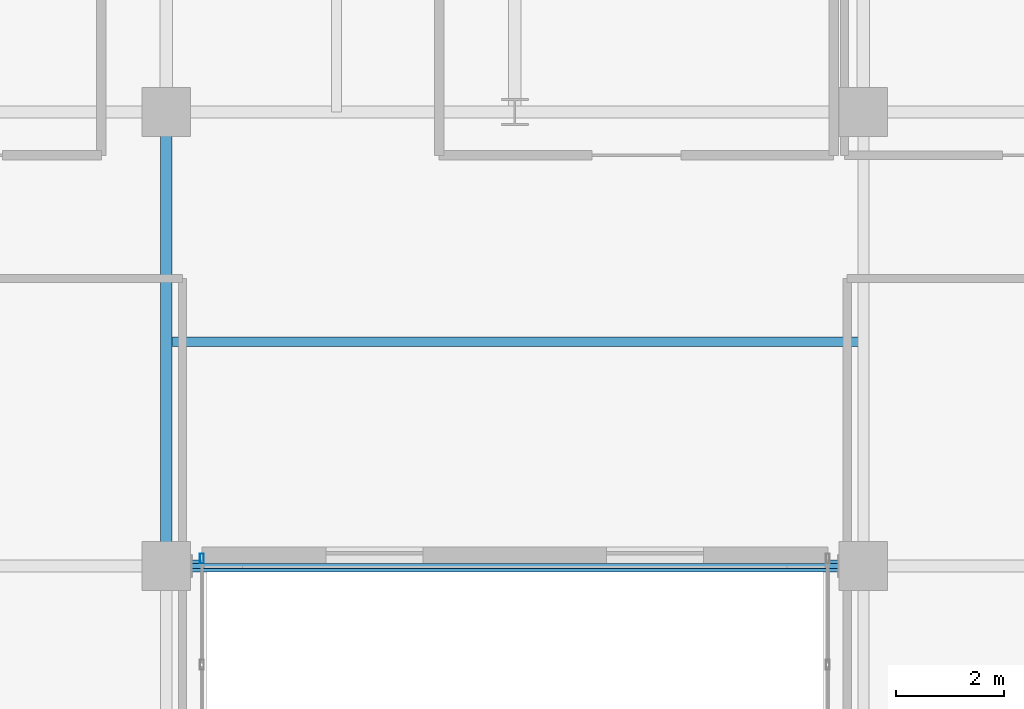
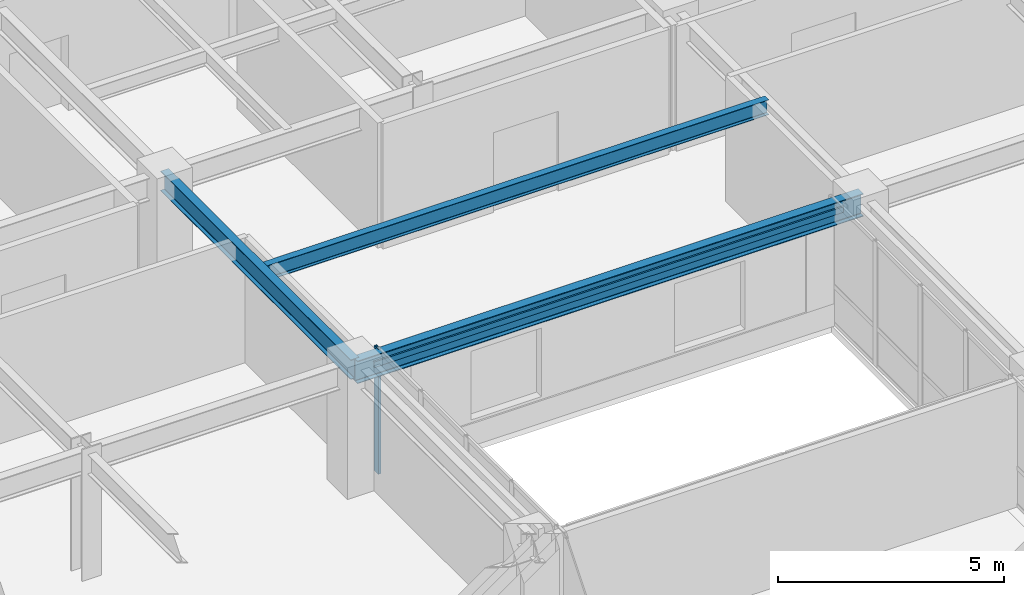
# One storey, part 6 of 31: 3 beams, 2 members, 1 element without a shape of its own.
"""IFC4 building model written with IfcOpenShell, lengths in metres."""

from ifc_helpers import new_model, si_unit, direction, frame, origin, origin_2d, place, context, subcontext, project, spatial, hollow_rectangle, i_section, extrude, source, transform, mapped, material, layer, layer_set, material_profile, profile_set, type_object, type_shapes, element, aggregate, save


model = new_model("IFC4")

# Units and contexts
model_context = context("Model", 3, precision=1e-05, world=origin(), true_north=direction((0.0, 1.0)))
body_context = subcontext(model_context, "Body", "Model", "MODEL_VIEW")
ifc_project = project(units=[si_unit("LENGTHUNIT", "METRE"), si_unit("AREAUNIT", "SQUARE_METRE"), si_unit("VOLUMEUNIT", "CUBIC_METRE"), si_unit("PLANEANGLEUNIT", "RADIAN"), si_unit("MASSUNIT", "GRAM", prefix="KILO")], contexts=[model_context])

# Site, building, storey
site_placement = place(None, origin())
site = spatial("IfcSite", under=ifc_project, at=site_placement, CompositionType="ELEMENT")
building_placement = place(site_placement, origin())
building = spatial("IfcBuilding", under=site, at=building_placement, Name="Tolvann Quenvar Hotel", CompositionType="ELEMENT")
storey_placement = place(building_placement, frame((0.0, 0.0, 125.75)))
storey = spatial("IfcBuildingStorey", under=building, at=storey_placement, Name="L32", CompositionType="ELEMENT", Elevation=125.75)

# Beams
ifc_material_1 = material(Name="Steel Grade 350", Category="steel")
ifc_material_profile_1 = material_profile(ifc_material_1, i_section(OverallWidth=0.22900390625, OverallDepth=0.612060546875, WebThickness=0.011962890625, FlangeThickness=0.01953125, FilletRadius=0.013916015625, at=origin_2d()), Name="610UB125")
ifc_profile_set_1 = profile_set([ifc_material_profile_1], Name="Steel Grade 350")
beam_type_1 = type_object("IfcBeamType", Name="BM_GIRD_610UB125", PredefinedType="BEAM", material=ifc_profile_set_1)
shared_shape_1 = source(origin(), body_context, "Body", "SweptSolid", [
    extrude(i_section(OverallWidth=0.22900390625, OverallDepth=0.612060546875, WebThickness=0.011962890625, FlangeThickness=0.01953125, FilletRadius=0.013916015625, at=origin_2d()), origin(), (0.0, 0.0, 1.0), 12.89990234375),
])
type_shapes(beam_type_1, [shared_shape_1])
beam_1_placement = place(storey_placement, frame((22.050048828125, 16.0, 3.06396484375), z_axis=(1.0, 0.0, 0.0), x_axis=(0.0, 1.0, 0.0)))
element("IfcBeam", 1, at=beam_1_placement, inside=storey, type_object=beam_type_1, Name="BM-L32-EW-4-E4-F4", PredefinedType="BEAM", context=body_context, shape_type="MappedRepresentation", body=[
    mapped(shared_shape_1, transform((0.0, 0.0, 0.0), x_axis=(1.0, 0.0, 0.0), y_axis=(0.0, 1.0, 0.0), z_axis=(0.0, 0.0, 1.0), scale=1.0)),
])
ifc_material_profile_2 = material_profile(ifc_material_1, i_section(OverallWidth=0.208984375, OverallDepth=0.532958984375, WebThickness=0.01025390625, FlangeThickness=0.015625, FilletRadius=0.013916015625, at=origin_2d()), Name="530UB92")
ifc_profile_set_2 = profile_set([ifc_material_profile_2], Name="Steel Grade 350")
beam_type_2 = type_object("IfcBeamType", Name="BM_GIRD_530UB92", PredefinedType="BEAM", material=ifc_profile_set_2)
shared_shape_2 = source(origin(), body_context, "Body", "SweptSolid", [
    extrude(i_section(OverallWidth=0.208984375, OverallDepth=0.532958984375, WebThickness=0.01025390625, FlangeThickness=0.015625, FilletRadius=0.013916015625, at=origin_2d()), origin(), (0.0, 0.0, 1.0), 8.39990234375),
])
type_shapes(beam_type_2, [shared_shape_2])
beam_2_placement = place(storey_placement, frame((22.050048828125, 16.0, 3.103515625), z_axis=(0.0, 1.0, 0.0), x_axis=(-1.0, 0.0, 0.0)))
element("IfcBeam", 2, at=beam_2_placement, inside=storey, type_object=beam_type_2, Name="BM-L32-NS-E4-E5", PredefinedType="BEAM", context=body_context, shape_type="MappedRepresentation", body=[
    mapped(shared_shape_2, transform((0.0, 0.0, 0.0), x_axis=(1.0, 0.0, 0.0), y_axis=(0.0, 1.0, 0.0), z_axis=(0.0, 0.0, 1.0), scale=1.0)),
])
ifc_material_profile_3 = material_profile(ifc_material_1, i_section(OverallWidth=0.177978515625, OverallDepth=0.406005859375, WebThickness=0.0078125, FlangeThickness=0.0126953125, FilletRadius=0.011474609375, at=origin_2d()), Name="410UB60")
ifc_profile_set_3 = profile_set([ifc_material_profile_3], Name="Steel Grade 350")
beam_type_3 = type_object("IfcBeamType", Name="BM_JOIST_410UB60", PredefinedType="JOIST", material=ifc_profile_set_3)
shared_shape_3 = source(origin(), body_context, "Body", "SweptSolid", [
    extrude(i_section(OverallWidth=0.177978515625, OverallDepth=0.406005859375, WebThickness=0.0078125, FlangeThickness=0.0126953125, FilletRadius=0.011474609375, at=origin_2d()), origin(), (0.0, 0.0, 1.0), 12.89990234375),
])
type_shapes(beam_type_3, [shared_shape_3])
beam_3_placement = place(storey_placement, frame((22.050048828125, 20.14990234375, 3.1669921875), z_axis=(1.0, 0.0, 0.0), x_axis=(0.0, 1.0, 0.0)))
element("IfcBeam", 3, at=beam_3_placement, inside=storey, type_object=beam_type_3, Name="BM-L32-SPINE-20", PredefinedType="JOIST", context=body_context, shape_type="MappedRepresentation", body=[
    mapped(shared_shape_3, transform((0.0, 0.0, 0.0), x_axis=(1.0, 0.0, 0.0), y_axis=(0.0, 1.0, 0.0), z_axis=(0.0, 0.0, 1.0), scale=1.0)),
])

# Member
ifc_material_2 = material(Name="Steel Grade 450 (C450L0)", Category="steel")
ifc_material_profile_4 = material_profile(ifc_material_2, hollow_rectangle(XDim=0.10009765625, YDim=0.14990234375, WallThickness=0.006103515625, at=origin_2d()), Name="150x100x6RHS")
ifc_profile_set_4 = profile_set([ifc_material_profile_4], Name="Steel Grade 450 (C450L0)")
member_type_1 = type_object("IfcMemberType", Name="MEM_GIRT_150RHS", PredefinedType="CHORD", material=ifc_profile_set_4)
shared_shape_4 = source(origin(), body_context, "Body", "SweptSolid", [
    extrude(hollow_rectangle(XDim=0.10009765625, YDim=0.14990234375, WallThickness=0.006103515625, at=origin_2d()), origin(), (0.0, 0.0, 1.0), 11.97021484375),
])
type_shapes(member_type_1, [shared_shape_4])
member_1_placement = place(storey_placement, frame((22.514892578125, 16.0, 3.070068359375), z_axis=(1.0, 0.0, 0.0), x_axis=(0.0, 1.0, 0.0)))
element("IfcMember", 4, at=member_1_placement, inside=storey, type_object=member_type_1, Name="Atrium Slot Spandrel Girt (L32)", PredefinedType="CHORD", context=body_context, shape_type="MappedRepresentation", body=[
    mapped(shared_shape_4, transform((0.0, 0.0, 0.0), x_axis=(1.0, 0.0, 0.0), y_axis=(0.0, 1.0, 0.0), z_axis=(0.0, 0.0, 1.0), scale=1.0)),
])

# Curtain wall, member
ifc_material_3 = material(Name="Thermally broken anodised architectural aluminium 6063-T6 and laminated low-E glass", Category="aluminium")
ifc_layer = layer(ifc_material_3, 0.179931640625)
ifc_layer_set = layer_set([ifc_layer], Name="Thermally broken anodised architectural aluminium 6063-T6 and laminated low-E glass")
curtain_wall_type = type_object("IfcCurtainWallType", Name="CW_SYS_SLOT_03", PredefinedType="USERDEFINED", material=ifc_layer_set)
curtain_wall_placement = place(storey_placement, origin())
curtain_wall = element("IfcCurtainWall", 5, at=curtain_wall_placement, inside=storey, type_object=curtain_wall_type, Name="Curtain Wall CW-SLOT-03 (CWR-L32-E05)", ObjectType="UNITISED CURTAIN WALL", PredefinedType="USERDEFINED")
ifc_material_4 = material(Name="Anodised architectural aluminium 6063-T6 framing", Category="aluminium")
ifc_material_profile_5 = material_profile(ifc_material_4, hollow_rectangle(XDim=0.070068359375, YDim=0.179931640625, WallThickness=0.00390625, at=origin_2d()), Name="180x70x4RHS")
ifc_profile_set_5 = profile_set([ifc_material_profile_5], Name="Anodised architectural aluminium 6063-T6 framing")
member_type_2 = type_object("IfcMemberType", Name="CW_MULL_180x70", PredefinedType="MULLION", material=ifc_profile_set_5)
shared_shape_5 = source(origin(), body_context, "Body", "SweptSolid", [
    extrude(hollow_rectangle(XDim=0.070068359375, YDim=0.179931640625, WallThickness=0.00390625, at=origin_2d()), origin(), (0.0, 0.0, 1.0), 3.3701171875),
])
type_shapes(member_type_2, [shared_shape_5])
member_2_placement = place(storey_placement, frame((22.7099609375, 16.139892578125, 0.0), z_axis=(0.0, 0.0, 1.0), x_axis=(-1.0, 0.0, 0.0)))
member_2 = element("IfcMember", 6, at=member_2_placement, type_object=member_type_2, Name="CW-SLOT-03 mullion 9", PredefinedType="MULLION", context=body_context, shape_type="MappedRepresentation", body=[
    mapped(shared_shape_5, transform((0.0, 0.0, 0.0), x_axis=(1.0, 0.0, 0.0), y_axis=(0.0, 1.0, 0.0), z_axis=(0.0, 0.0, 1.0), scale=1.0)),
])
aggregate(curtain_wall, [member_2])

save(model, "model.ifc")
